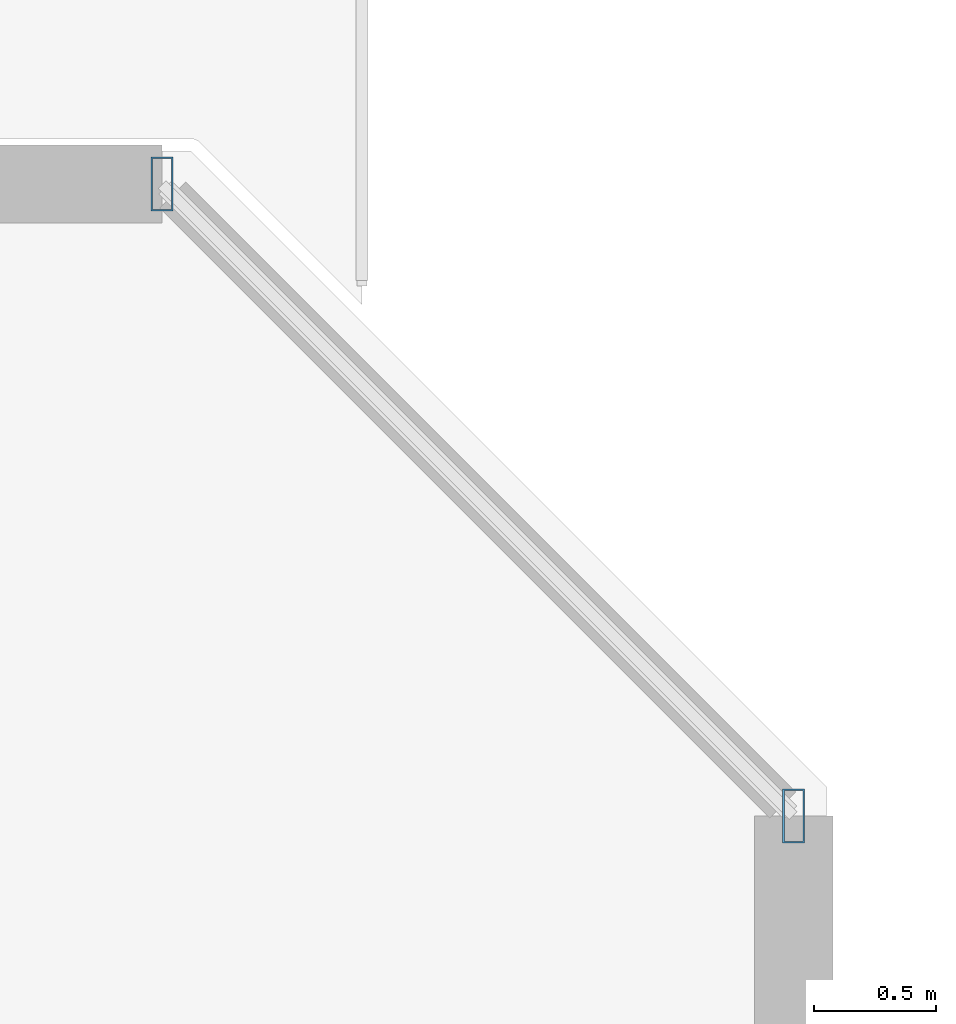
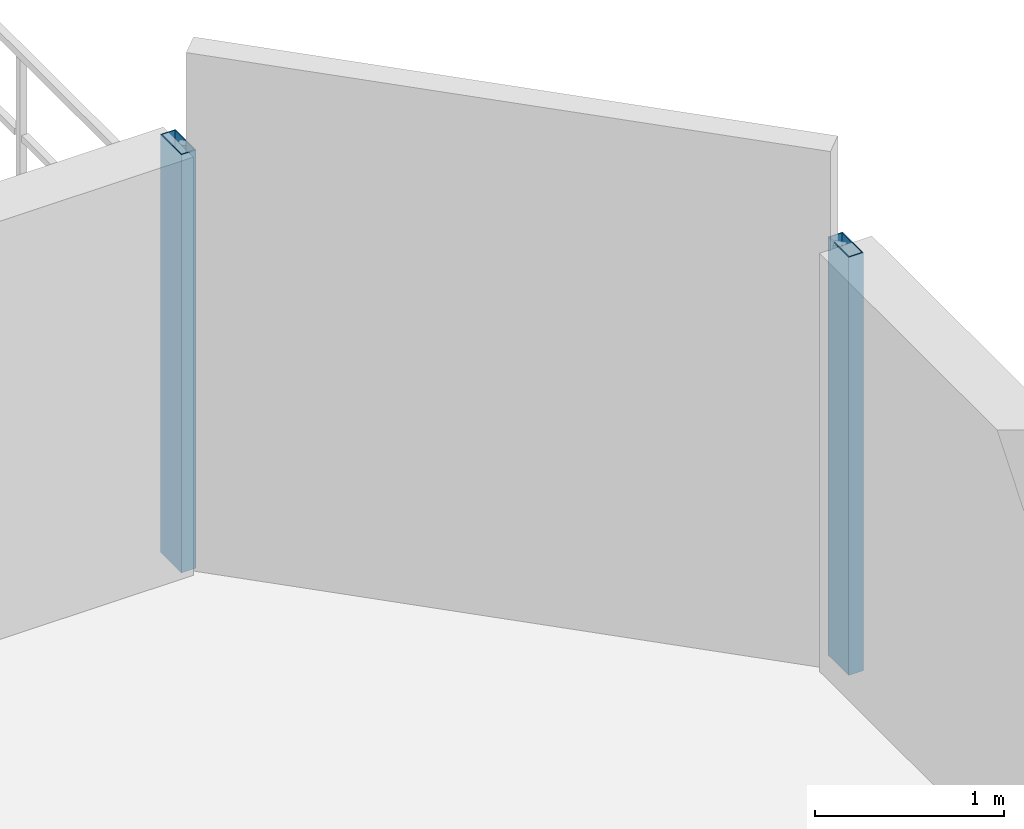
# One storey, part 16 of 34: 2 members, 1 element without a shape of its own.
"""IFC4 building model written with IfcOpenShell, lengths in metres."""

import ifcopenshell
import ifcopenshell.guid

model = None  # the IFC model being written
_history = None  # IfcOwnerHistory: only IFC2X3 demands one
_inside = {}  # id of a spatial element -> (the spatial element, [elements in it])
_under = {}  # id of a project, library or spatial element -> (it, [spatial elements below it])
_declared = {}  # id of a project -> (the project, [libraries it declares])
_typed = {}  # id of a type object -> (the type object, [elements of that type])
_made_of = {}  # id of a material, layer set ... -> (it, [elements and type objects made of it])


def new_model(schema):
    """Start an empty IFC model of exactly this schema.

    Asked for "IFC4X3", IfcOpenShell would pick the latest addendum, in which some entities
    have other attributes; the version numbers below select the first issue.
    IFC2X3 requires an IfcOwnerHistory on every rooted entity: one is made here for all.
    """
    global model, _history
    if schema == "IFC4X3":
        model = ifcopenshell.file(schema_version=(4, 3, 0, 0))
    else:
        model = ifcopenshell.file(schema=schema)
    _inside.clear()
    _under.clear()
    _declared.clear()
    _typed.clear()
    _made_of.clear()
    _history = None
    if model.schema == "IFC2X3":
        org = make("IfcOrganization", Name="unknown")
        user = make(
            "IfcPersonAndOrganization",
            ThePerson=make("IfcPerson", FamilyName="unknown"),
            TheOrganization=org,
        )
        app = make(
            "IfcApplication",
            ApplicationDeveloper=org,
            Version="unknown",
            ApplicationFullName="unknown",
            ApplicationIdentifier="unknown",
        )
        _history = make(
            "IfcOwnerHistory",
            OwningUser=user,
            OwningApplication=app,
            ChangeAction="ADDED",
            CreationDate=0,
        )
    return model


def make(cls, **values):
    """One entity of the class cls with the attributes given. An attribute that is None is left unset."""
    return model.create_entity(
        cls, **{name: value for name, value in values.items() if value is not None}
    )


def rooted(cls, **values):
    """An entity with a GlobalId (a new one), such as an element, a storey or a relation."""
    return make(cls, GlobalId=ifcopenshell.guid.new(), OwnerHistory=_history, **values)


def si_unit(unit_type, name, prefix=None):
    """IfcSIUnit, for example si_unit("LENGTHUNIT", "METRE", prefix="MILLI")."""
    return make("IfcSIUnit", UnitType=unit_type, Prefix=prefix, Name=name)


def assignment(units):
    """IfcUnitAssignment: the units of a project."""
    return None if units is None else make("IfcUnitAssignment", Units=units)


def point(xyz):
    """IfcCartesianPoint."""
    return None if xyz is None else make("IfcCartesianPoint", Coordinates=xyz)


def direction(xyz):
    """IfcDirection."""
    return None if xyz is None else make("IfcDirection", DirectionRatios=xyz)


def frame(location, z_axis=None, x_axis=None):
    """IfcAxis2Placement3D, a coordinate frame: its origin and axes. An axis left out is left unset."""
    return make(
        "IfcAxis2Placement3D",
        Location=point(location),
        Axis=direction(z_axis),
        RefDirection=direction(x_axis),
    )


def frame_2d(location, x_axis=None):
    """IfcAxis2Placement2D, a coordinate frame in the plane: its origin and x axis."""
    return make(
        "IfcAxis2Placement2D", Location=point(location), RefDirection=direction(x_axis)
    )


def origin():
    """The frame at (0, 0, 0) with its axes left unset."""
    return frame((0.0, 0.0, 0.0))


def origin_2d():
    """The frame at (0, 0) in the plane with its x axis left unset."""
    return frame_2d((0.0, 0.0))


def place(relative_to, where):
    """IfcLocalPlacement: puts the frame where relative to a parent placement (None: the world)."""
    return make(
        "IfcLocalPlacement", PlacementRelTo=relative_to, RelativePlacement=where
    )


def context(
    kind, dimensions, precision=None, world=None, true_north=None, identifier=None
):
    """IfcGeometricRepresentationContext, for example the 3D "Model" context."""
    return make(
        "IfcGeometricRepresentationContext",
        ContextIdentifier=identifier,
        ContextType=kind,
        CoordinateSpaceDimension=dimensions,
        Precision=precision,
        WorldCoordinateSystem=world,
        TrueNorth=true_north,
    )


def subcontext(parent, identifier, kind, view, scale=None):
    """IfcGeometricRepresentationSubContext, for example "Body" below "Model"."""
    return make(
        "IfcGeometricRepresentationSubContext",
        ContextIdentifier=identifier,
        ContextType=kind,
        ParentContext=parent,
        TargetScale=scale,
        TargetView=view,
    )


def project(units=None, contexts=None):
    """IfcProject with its units and contexts."""
    return rooted(
        "IfcProject",
        Name="project",
        RepresentationContexts=contexts,
        UnitsInContext=assignment(units),
    )


def spatial(cls, under=None, at=None, **own):
    """A site, building, storey or space (cls), placed at a placement, below another one or the project."""
    s = rooted(cls, ObjectPlacement=at, **own)
    if under is not None:
        _under.setdefault(under.id(), (under, []))[1].append(s)
    return s


def profile(cls, at=None, kind="AREA", **sizes):
    """A parametric profile (cls). Its sizes go by their IFC names, for example OverallWidth=200.0."""
    return make(cls, ProfileType=kind, Position=at, **sizes)


def hollow_rectangle(**sizes):
    """IfcRectangleHollowProfileDef."""
    return profile("IfcRectangleHollowProfileDef", **sizes)


def extrude(swept, where, along, depth):
    """IfcExtrudedAreaSolid: the profile swept, set in the frame where, extruded along a direction by depth."""
    return make(
        "IfcExtrudedAreaSolid",
        SweptArea=swept,
        Position=where,
        ExtrudedDirection=direction(along),
        Depth=depth,
    )


def shape(context_of_items, identifier, shape_type, items):
    """IfcShapeRepresentation: the items that make up one representation, for example the "Body"."""
    return make(
        "IfcShapeRepresentation",
        ContextOfItems=context_of_items,
        RepresentationIdentifier=identifier,
        RepresentationType=shape_type,
        Items=items,
    )


def material(Name=None, Category=None):
    """IfcMaterial."""
    return make("IfcMaterial", Name=Name, Category=Category)


def material_profile(
    of_material, cross_section, Name=None, Category=None, Priority=None
):
    """IfcMaterialProfile: a cross section and its material."""
    return make(
        "IfcMaterialProfile",
        Name=Name,
        Material=of_material,
        Profile=cross_section,
        Priority=Priority,
        Category=Category,
    )


def profile_set(profiles, Name=None, composite=None):
    """IfcMaterialProfileSet."""
    return make(
        "IfcMaterialProfileSet",
        Name=Name,
        MaterialProfiles=profiles,
        CompositeProfile=composite,
    )


def made_of(thing, what):
    """Note that an element or type object is made of a material, layer set ...; save() writes the relation."""
    if what is not None:
        _made_of.setdefault(what.id(), (what, []))[1].append(thing)
    return thing


def type_object(cls, material=None, **own):
    """A type object (cls), such as IfcWallType, which elements share."""
    return made_of(rooted(cls, **own), material)


def element(
    cls,
    number,
    at=None,
    inside=None,
    cuts=None,
    type_object=None,
    material=None,
    context=None,
    identifier="Body",
    shape_type=None,
    held_by="IfcProductDefinitionShape",
    body=None,
    shapes=None,
    **own,
):
    """One element of the class cls, such as IfcWall. Its Tag is "e" and its number.

    at: its placement. inside: the storey or other place that contains it. cuts: it is an
    opening in that element (IfcRelVoidsElement). A single representation is given by context,
    identifier, shape_type and body (its items); several are given by shapes. held_by: the class
    of the entity that holds the representations. save() writes the other relations.
    """
    e = rooted(cls, Tag="e%d" % number, ObjectPlacement=at, **own)
    if body is not None:
        shapes = [shape(context, identifier, shape_type, body)]
    if shapes is not None:
        e.Representation = make(held_by, Representations=shapes)
    if inside is not None:
        _inside.setdefault(inside.id(), (inside, []))[1].append(e)
    if cuts is not None:
        rooted(
            "IfcRelVoidsElement", RelatingBuildingElement=cuts, RelatedOpeningElement=e
        )
    if type_object is not None:
        _typed.setdefault(type_object.id(), (type_object, []))[1].append(e)
    return made_of(e, material)


def aggregate(whole, parts):
    """IfcRelAggregates: a whole, such as a stair, and the parts it consists of."""
    return rooted("IfcRelAggregates", RelatingObject=whole, RelatedObjects=parts)


def save(model, path):
    """Write the relations noted so far, then the file.

    IfcRelAggregates (storeys below a building ...), IfcRelContainedInSpatialStructure (elements
    in a storey), IfcRelDefinesByType, IfcRelAssociatesMaterial and IfcRelDeclares: one each for
    every whole, place, type object, material and project.
    """
    for whole, parts in _under.values():
        aggregate(whole, parts)
    for where, things in _inside.values():
        rooted(
            "IfcRelContainedInSpatialStructure",
            RelatedElements=things,
            RelatingStructure=where,
        )
    for kind, things in _typed.values():
        rooted("IfcRelDefinesByType", RelatedObjects=things, RelatingType=kind)
    for what, things in _made_of.values():
        rooted("IfcRelAssociatesMaterial", RelatedObjects=things, RelatingMaterial=what)
    for by, libraries in _declared.values():
        rooted("IfcRelDeclares", RelatingContext=by, RelatedDefinitions=libraries)
    model.write(path)


model = new_model("IFC4")

# Units and contexts
model_context = context("Model", 3, precision=1e-05, world=origin(), true_north=direction((0.0, 1.0)))
body_context = subcontext(model_context, "Body", "Model", "MODEL_VIEW")
ifc_project = project(units=[si_unit("LENGTHUNIT", "METRE"), si_unit("AREAUNIT", "SQUARE_METRE"), si_unit("VOLUMEUNIT", "CUBIC_METRE"), si_unit("PLANEANGLEUNIT", "RADIAN"), si_unit("MASSUNIT", "GRAM", prefix="KILO")], contexts=[model_context])

# Site, building, storey
site_placement = place(None, origin())
site = spatial("IfcSite", under=ifc_project, at=site_placement, CompositionType="ELEMENT")
building_placement = place(site_placement, origin())
building = spatial("IfcBuilding", under=site, at=building_placement, Name="Thornwick Lancets Civic Towers", CompositionType="ELEMENT")
storey_placement = place(building_placement, frame((0.0, 0.0, 27.89990234375)))
storey = spatial("IfcBuildingStorey", under=building, at=storey_placement, Name="L06", CompositionType="ELEMENT", Elevation=27.89990234375)

# Curtain wall, members
ifc_material_1 = material(Name="Low-zone chamfered-corner unitised glass curtain wall", Category="glass")
curtain_wall_type = type_object("IfcCurtainWallType", Name="CW_SYS_03", PredefinedType="NOTDEFINED", material=ifc_material_1)
curtain_wall_placement = place(storey_placement, origin())
curtain_wall = element("IfcCurtainWall", 1, at=curtain_wall_placement, inside=storey, type_object=curtain_wall_type, Name="L06 Curtain Wall CW-L06-B-E3", PredefinedType="NOTDEFINED")
ifc_material_2 = material(Name="Thermally broken bronze aluminium S355", Category="steel")
ifc_material_profile = material_profile(ifc_material_2, hollow_rectangle(XDim=0.090087890625, YDim=0.219970703125, WallThickness=0.00634765625, at=origin_2d()), Name="RHS 220x90x6.3")
ifc_profile_set = profile_set([ifc_material_profile], Name="Thermally broken bronze aluminium S355")
member_type = type_object("IfcMemberType", Name="CW_MUL_220", PredefinedType="MULLION", material=ifc_profile_set)
member_1_placement = place(storey_placement, frame((112.764892578125, 42.68115234375, 0.0), z_axis=(0.0, 0.0, 1.0), x_axis=(1.0, 0.0, 0.0)))
member_1 = element("IfcMember", 2, at=member_1_placement, type_object=member_type, Name="CW-L06-B-E3 Mullion 0", PredefinedType="MULLION", context=body_context, shape_type="SweptSolid", body=[
    extrude(hollow_rectangle(XDim=0.090087890625, YDim=0.219970703125, WallThickness=0.00634765625, at=origin_2d()), origin(), (0.0, 0.0, 1.0), 2.7001953125),
])
member_2_placement = place(storey_placement, frame((110.18115234375, 45.264892578125, 0.0), z_axis=(0.0, 0.0, 1.0), x_axis=(1.0, 0.0, 0.0)))
member_2 = element("IfcMember", 3, at=member_2_placement, type_object=member_type, Name="CW-L06-B-E3 Mullion 1", PredefinedType="MULLION", context=body_context, shape_type="SweptSolid", body=[
    extrude(hollow_rectangle(XDim=0.090087890625, YDim=0.219970703125, WallThickness=0.00634765625, at=origin_2d()), origin(), (0.0, 0.0, 1.0), 2.7001953125),
])
aggregate(curtain_wall, [member_1, member_2])

save(model, "model.ifc")
